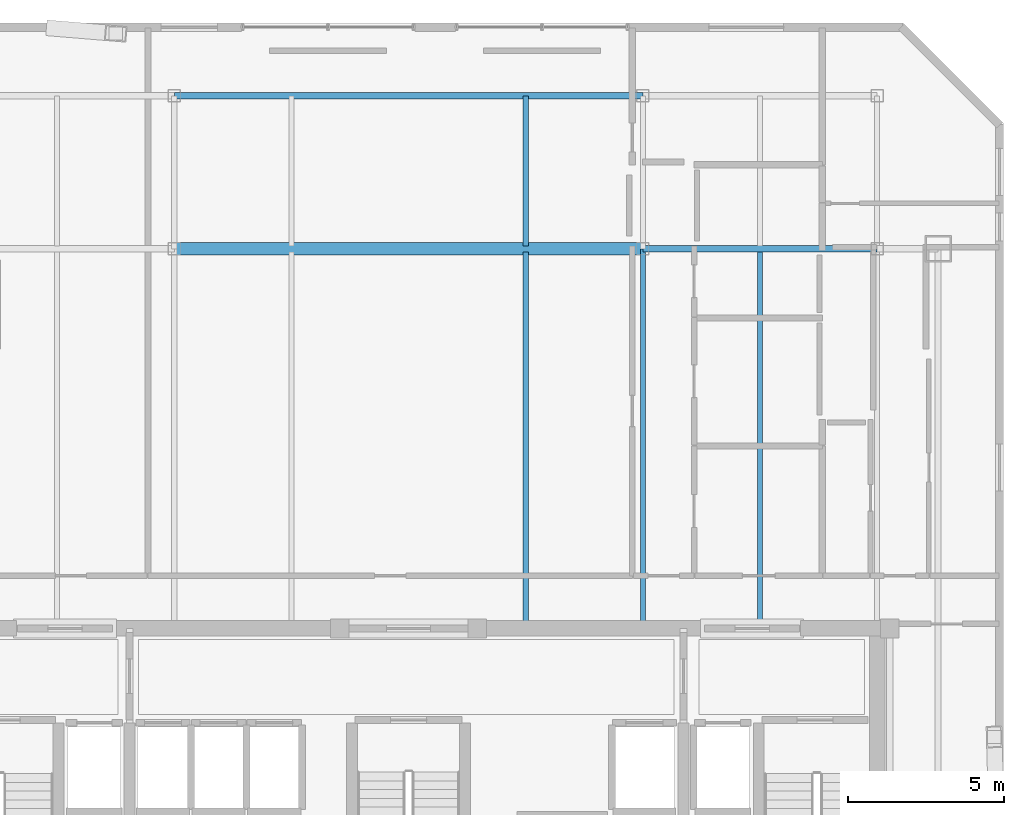
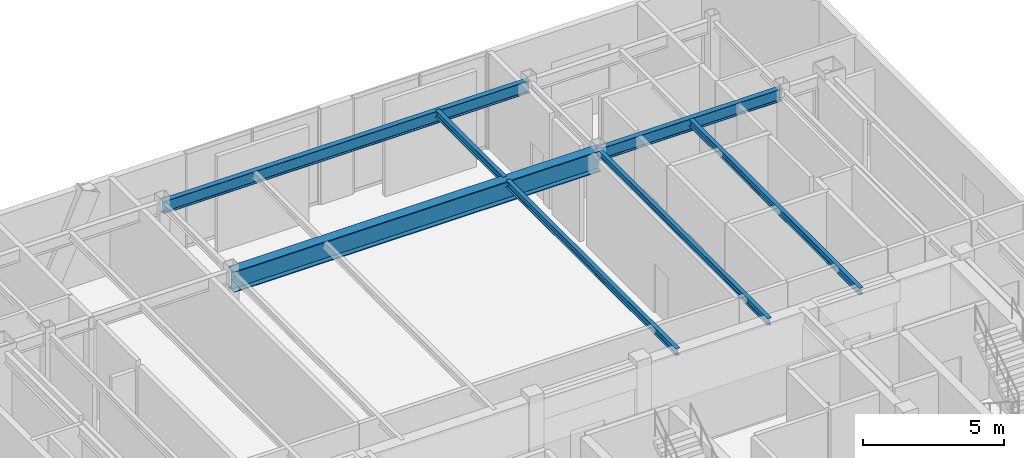
# One storey, part 3 of 10: 7 beams.
"""IFC4 building model written with IfcOpenShell, lengths in metres."""

from ifc_helpers import new_model, si_unit, direction, frame, origin, origin_2d, place, context, subcontext, project, spatial, i_section, extrude, material, material_profile, profile_set, type_object, element, save


model = new_model("IFC4")

# Units and contexts
model_context = context("Model", 3, precision=1e-05, world=origin(), true_north=direction((0.0, 1.0)))
body_context = subcontext(model_context, "Body", "Model", "MODEL_VIEW")
ifc_project = project(units=[si_unit("LENGTHUNIT", "METRE"), si_unit("AREAUNIT", "SQUARE_METRE"), si_unit("VOLUMEUNIT", "CUBIC_METRE"), si_unit("PLANEANGLEUNIT", "RADIAN"), si_unit("MASSUNIT", "GRAM", prefix="KILO")], contexts=[model_context])

# Site, building, storey
site_placement = place(None, origin())
site = spatial("IfcSite", under=ifc_project, at=site_placement, CompositionType="ELEMENT")
building_placement = place(site_placement, origin())
building = spatial("IfcBuilding", under=site, at=building_placement, Name="Ventersveld Concourse Tower", CompositionType="ELEMENT")
storey_placement = place(building_placement, frame((0.0, 0.0, 357.85009765625)))
storey = spatial("IfcBuildingStorey", under=building, at=storey_placement, Name="L88", CompositionType="ELEMENT", Elevation=357.85009765625)

# Beams
ifc_material = material(Name="Structural steel S355J2", Category="steel")
ifc_material_profile_1 = material_profile(ifc_material, i_section(OverallWidth=0.1650390625, OverallDepth=0.303466796875, WebThickness=0.006103515625, FlangeThickness=0.01025390625, FilletRadius=0.0087890625, at=origin_2d()), Name="UB 305x165x40")
ifc_profile_set_1 = profile_set([ifc_material_profile_1], Name="Structural steel S355J2")
beam_type_1 = type_object("IfcBeamType", Name="BM-UB305", PredefinedType="BEAM", material=ifc_profile_set_1)
beam_1_placement = place(storey_placement, frame((32.5, 11.449951171875, 3.98828125), z_axis=(0.0, 1.0, 0.0), x_axis=(-1.0, 0.0, 0.0)))
element("IfcBeam", 1, at=beam_1_placement, inside=storey, type_object=beam_type_1, Name="L88 N-S Composite Floor Beam South X=32.50", PredefinedType="BEAM", context=body_context, shape_type="SweptSolid", body=[
    extrude(i_section(OverallWidth=0.1650390625, OverallDepth=0.303466796875, WebThickness=0.006103515625, FlangeThickness=0.01025390625, FilletRadius=0.0087890625, at=origin_2d()), origin(), (0.0, 0.0, 1.0), 12.054931640625),
])
beam_2_placement = place(storey_placement, frame((32.5, 23.695068359375, 3.98828125), z_axis=(0.0, 1.0, 0.0), x_axis=(-1.0, 0.0, 0.0)))
element("IfcBeam", 2, at=beam_2_placement, inside=storey, type_object=beam_type_1, Name="L88 N-S Upper-Zone Floor Beam X=32.50", PredefinedType="BEAM", context=body_context, shape_type="SweptSolid", body=[
    extrude(i_section(OverallWidth=0.1650390625, OverallDepth=0.303466796875, WebThickness=0.006103515625, FlangeThickness=0.01025390625, FilletRadius=0.0087890625, at=origin_2d()), origin(), (0.0, 0.0, 1.0), 4.804931640625),
])
beam_3_placement = place(storey_placement, frame((36.25, 11.449951171875, 3.98828125), z_axis=(0.0, 1.0, 0.0), x_axis=(-1.0, 0.0, 0.0)))
element("IfcBeam", 3, at=beam_3_placement, inside=storey, type_object=beam_type_1, Name="L88 N-S Composite Floor Beam South X=36.25", PredefinedType="BEAM", context=body_context, shape_type="SweptSolid", body=[
    extrude(i_section(OverallWidth=0.1650390625, OverallDepth=0.303466796875, WebThickness=0.006103515625, FlangeThickness=0.01025390625, FilletRadius=0.0087890625, at=origin_2d()), origin(), (0.0, 0.0, 1.0), 12.150146484375),
])
beam_4_placement = place(storey_placement, frame((40.0, 11.449951171875, 3.98828125), z_axis=(0.0, 1.0, 0.0), x_axis=(-1.0, 0.0, 0.0)))
element("IfcBeam", 4, at=beam_4_placement, inside=storey, type_object=beam_type_1, Name="L88 N-S Composite Floor Beam South X=40.00", PredefinedType="BEAM", context=body_context, shape_type="SweptSolid", body=[
    extrude(i_section(OverallWidth=0.1650390625, OverallDepth=0.303466796875, WebThickness=0.006103515625, FlangeThickness=0.01025390625, FilletRadius=0.0087890625, at=origin_2d()), origin(), (0.0, 0.0, 1.0), 12.054931640625),
])
ifc_material_profile_2 = material_profile(ifc_material, i_section(OverallWidth=0.39990234375, OverallDepth=0.89990234375, WebThickness=0.02197265625, FlangeThickness=0.035888671875, at=origin_2d()), Name="PG 900x400x36")
ifc_profile_set_2 = profile_set([ifc_material_profile_2], Name="Structural steel S355J2")
beam_type_2 = type_object("IfcBeamType", Name="GRD-PG900", PredefinedType="USERDEFINED", material=ifc_profile_set_2)
beam_5_placement = place(storey_placement, frame((21.25, 23.60009765625, 3.68994140625), z_axis=(1.0, 0.0, 0.0), x_axis=(0.0, 1.0, 0.0)))
element("IfcBeam", 5, at=beam_5_placement, inside=storey, type_object=beam_type_2, Name="L88 Primary E-W Grid Girder Y=23.60 #3", ObjectType="GIRDER", PredefinedType="USERDEFINED", context=body_context, shape_type="SweptSolid", body=[
    extrude(i_section(OverallWidth=0.39990234375, OverallDepth=0.89990234375, WebThickness=0.02197265625, FlangeThickness=0.035888671875, at=origin_2d()), origin(), (0.0, 0.0, 1.0), 15.0),
])
ifc_material_profile_3 = material_profile(ifc_material, i_section(OverallWidth=0.209228515625, OverallDepth=0.533203125, WebThickness=0.010009765625, FlangeThickness=0.015625, FilletRadius=0.0126953125, at=origin_2d()), Name="UB 533x210x92")
ifc_profile_set_3 = profile_set([ifc_material_profile_3], Name="Structural steel S355J2")
beam_type_3 = type_object("IfcBeamType", Name="GRD-UB533", PredefinedType="T_BEAM", material=ifc_profile_set_3)
beam_6_placement = place(storey_placement, frame((36.25, 23.60009765625, 3.873291015625), z_axis=(1.0, 0.0, 0.0), x_axis=(0.0, 1.0, 0.0)))
element("IfcBeam", 6, at=beam_6_placement, inside=storey, type_object=beam_type_3, Name="L88 Primary E-W Grid Girder Y=23.60 #4", PredefinedType="T_BEAM", context=body_context, shape_type="SweptSolid", body=[
    extrude(i_section(OverallWidth=0.209228515625, OverallDepth=0.533203125, WebThickness=0.010009765625, FlangeThickness=0.015625, FilletRadius=0.0126953125, at=origin_2d()), origin(), (0.0, 0.0, 1.0), 7.5),
])
beam_7_placement = place(storey_placement, frame((21.25, 28.5, 3.873291015625), z_axis=(1.0, 0.0, 0.0), x_axis=(0.0, 1.0, 0.0)))
element("IfcBeam", 7, at=beam_7_placement, inside=storey, type_object=beam_type_3, Name="L88 Upper-North E-W Girder Y=28.50 #2", PredefinedType="T_BEAM", context=body_context, shape_type="SweptSolid", body=[
    extrude(i_section(OverallWidth=0.209228515625, OverallDepth=0.533203125, WebThickness=0.010009765625, FlangeThickness=0.015625, FilletRadius=0.0126953125, at=origin_2d()), origin(), (0.0, 0.0, 1.0), 15.0),
])

save(model, "model.ifc")
